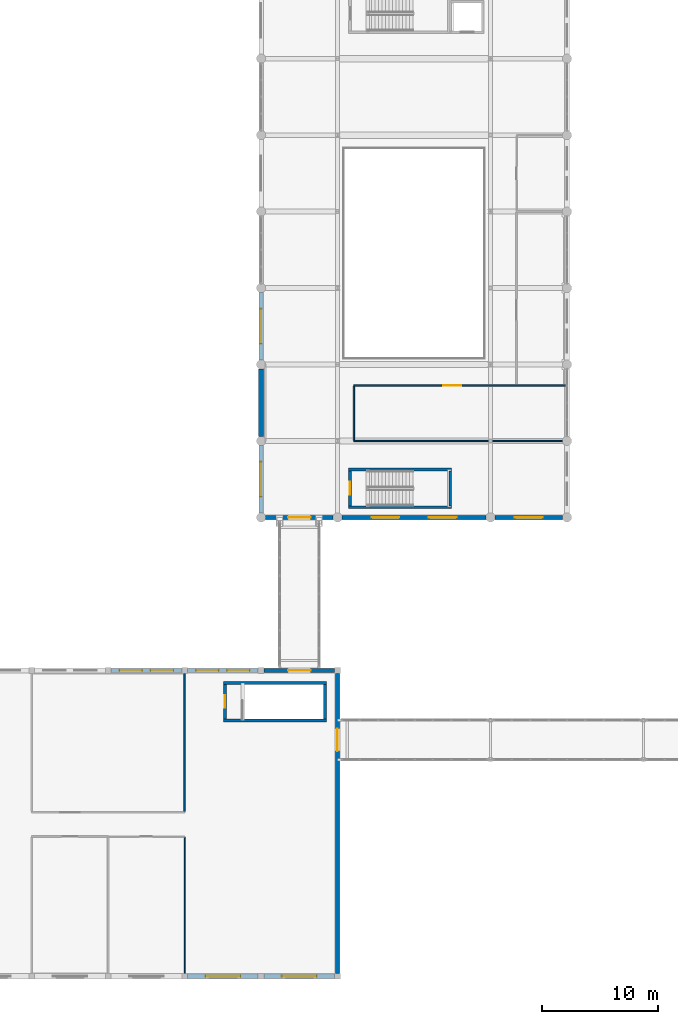
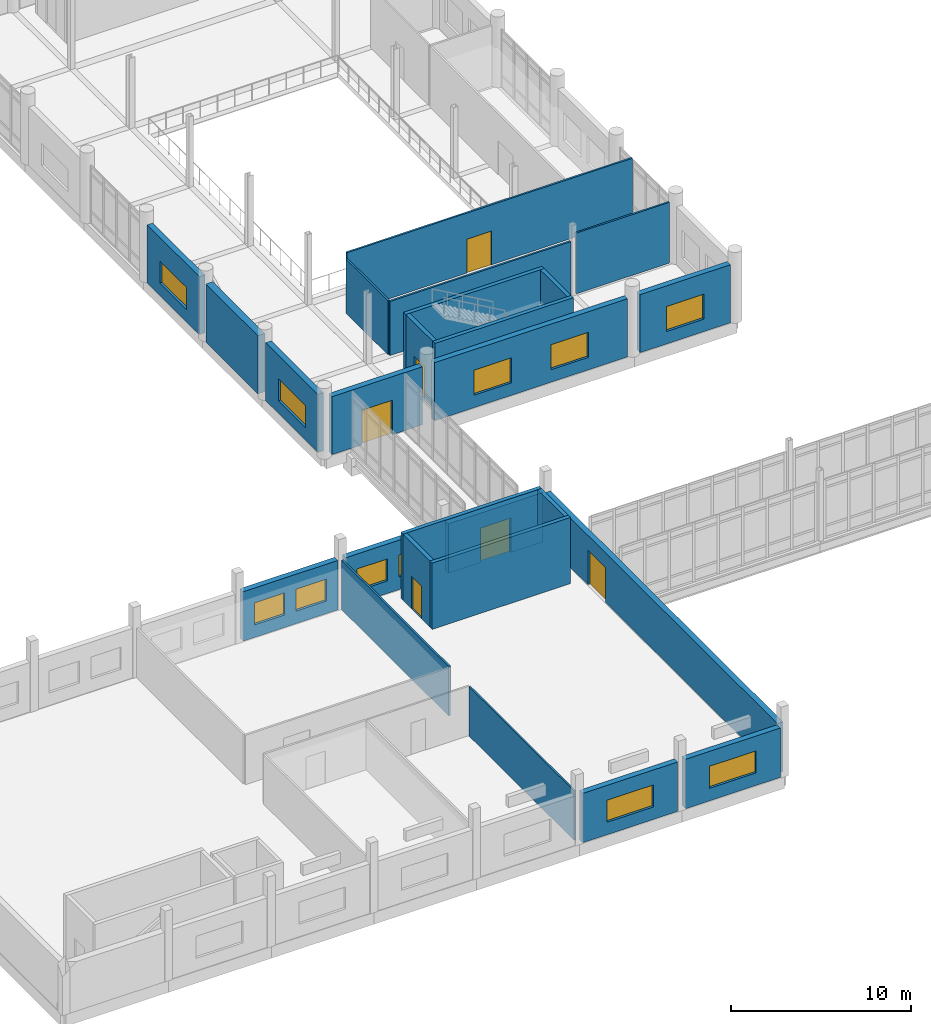
# One storey, part 66 of 101: 26 walls, 11 windows, 6 doors, 17 openings.
"""IFC4 building model written with IfcOpenShell, lengths in metres."""

from ifc_helpers import new_model, si_unit, direction, frame, frame_2d, origin, place, context, subcontext, project, spatial, rectangle, extrude, material, layer, layer_set, type_object, element, fill, save


model = new_model("IFC4")

# Units and contexts
model_context = context("Model", 3, precision=1e-05, world=origin(), true_north=direction((0.0, 1.0)))
body_context = subcontext(model_context, "Body", "Model", "MODEL_VIEW")
ifc_project = project(units=[si_unit("LENGTHUNIT", "METRE"), si_unit("AREAUNIT", "SQUARE_METRE"), si_unit("VOLUMEUNIT", "CUBIC_METRE"), si_unit("PLANEANGLEUNIT", "RADIAN"), si_unit("MASSUNIT", "GRAM", prefix="KILO")], contexts=[model_context])

# Site, building, storey
site_placement = place(None, origin())
site = spatial("IfcSite", under=ifc_project, at=site_placement, CompositionType="ELEMENT")
building_placement = place(site_placement, origin())
building = spatial("IfcBuilding", under=site, at=building_placement, Name="Dornvale Research Institute", CompositionType="ELEMENT")
storey_placement = place(building_placement, frame((0.0, 0.0, 10.199951171875)))
storey = spatial("IfcBuildingStorey", under=building, at=storey_placement, Name="L02", CompositionType="ELEMENT", Elevation=10.199951171875)

# Walls
ifc_material_1 = material(Name="Acoustic Insulated Double-Stud Laboratory Partition")
ifc_layer_1 = layer(ifc_material_1, 0.1201171875)
ifc_layer_set_1 = layer_set([ifc_layer_1], Name="Acoustic Insulated Double-Stud Laboratory Partition")
wall_type_1 = type_object("IfcWallType", Name="Partition_Dry_120", PredefinedType="PARTITIONING", material=ifc_layer_set_1)
wall_1_placement = place(storey_placement, frame((47.60009765625, 46.199951171875, 0.0), z_axis=(0.0, 0.0, 1.0), x_axis=(1.0, 0.0, 0.0)))
element("IfcWall", 1, at=wall_1_placement, inside=storey, type_object=wall_type_1, Name="L02 V2 interior partition #309", PredefinedType="PARTITIONING", context=body_context, shape_type="SweptSolid", body=[
    extrude(rectangle(XDim=11.62744140625, YDim=0.1201171875, at=frame_2d((5.813720703125, 0.0))), origin(), (0.0, 0.0, 1.0), 3.679931640625),
])
wall_2_placement = place(storey_placement, frame((59.572509765625, 46.199951171875, 0.0), z_axis=(0.0, 0.0, 1.0), x_axis=(1.0, 0.0, 0.0)))
element("IfcWall", 2, at=wall_2_placement, inside=storey, type_object=wall_type_1, Name="L02 V2 interior partition #310", PredefinedType="PARTITIONING", context=body_context, shape_type="SweptSolid", body=[
    extrude(rectangle(XDim=6.007568359375, YDim=0.1201171875, at=frame_2d((3.00390625, 0.0))), origin(), (0.0, 0.0, 1.0), 4.130126953125),
])

# Wall, opening, door
wall_3_placement = place(storey_placement, frame((47.60009765625, 51.0, 0.0), z_axis=(0.0, 0.0, 1.0), x_axis=(1.0, 0.0, 0.0)))
wall_3 = element("IfcWall", 3, at=wall_3_placement, inside=storey, type_object=wall_type_1, Name="L02 V2 interior partition #311", PredefinedType="PARTITIONING", context=body_context, shape_type="SweptSolid", body=[
    extrude(rectangle(XDim=18.35986328125, YDim=0.1201171875, at=frame_2d((9.179931640625, 0.0))), origin(), (0.0, 0.0, 1.0), 4.080078125),
])
opening_1_placement = place(wall_3_placement, frame((7.7099609375, 0.0, 0.0)))
opening_1 = element("IfcOpeningElement", 4, at=opening_1_placement, cuts=wall_3, Name="Opening ID-18", PredefinedType="OPENING", context=body_context, shape_type="SweptSolid", body=[
    extrude(rectangle(XDim=1.580078125, YDim=2.300048828125, at=frame_2d((0.7900390625, 1.14990234375))), frame((0.0, 0.074951171875, 0.0), z_axis=(0.0, -1.0, 0.0), x_axis=(1.0, 0.0, 0.0)), (0.0, 0.0, 1.0), 0.150146484375),
])
ifc_material_2 = material(Name="Phenolic-Faced Solid-Core Laboratory Door Assembly")
door_type_1 = type_object("IfcDoorType", Name="Door_Collab_1580x2300", OperationType="SINGLE_SWING_LEFT", PredefinedType="DOOR", material=ifc_material_2)
door_1_placement = place(opening_1_placement, origin())
door_1 = element("IfcDoor", 5, at=door_1_placement, inside=storey, type_object=door_type_1, Name="L02 Interdisciplinary Collaboratory L02-South door #124", OperationType="SINGLE_SWING_LEFT", OverallHeight=2.300048828125, OverallWidth=1.580078125, PredefinedType="DOOR", context=body_context, shape_type="SweptSolid", body=[
    extrude(rectangle(XDim=1.580078125, YDim=2.300048828125, at=frame_2d((0.7900390625, 1.14990234375))), frame((0.0, 0.02490234375, 0.0), z_axis=(0.0, -1.0, 0.0), x_axis=(1.0, 0.0, 0.0)), (0.0, 0.0, 1.0), 0.050048828125),
])
fill(opening_1, door_1)

# Walls
wall_4_placement = place(storey_placement, frame((47.60009765625, 46.27490234375, 0.0), z_axis=(0.0, 0.0, 1.0), x_axis=(0.0, 1.0, 0.0)))
element("IfcWall", 6, at=wall_4_placement, inside=storey, type_object=wall_type_1, Name="L02 V2 interior partition #312", PredefinedType="PARTITIONING", context=body_context, shape_type="SweptSolid", body=[
    extrude(rectangle(XDim=4.650146484375, YDim=0.1201171875, at=frame_2d((2.3251953125, 0.0))), origin(), (0.0, 0.0, 1.0), 3.679931640625),
])
wall_5_placement = place(storey_placement, frame((33.0, 14.22509765625, 0.0), z_axis=(0.0, 0.0, 1.0), x_axis=(0.0, 1.0, 0.0)))
element("IfcWall", 7, at=wall_5_placement, inside=storey, type_object=wall_type_1, Name="L02 V1 interior partition #319", PredefinedType="PARTITIONING", context=body_context, shape_type="SweptSolid", body=[
    extrude(rectangle(XDim=11.90478515625, YDim=0.1201171875, at=frame_2d((5.952392578125, 0.0))), origin(), (0.0, 0.0, 1.0), 3.360107421875),
])
ifc_material_3 = material(Name="Acoustic Insulated Double-Stud Laboratory Partition")
ifc_layer_2 = layer(ifc_material_3, 0.10009765625)
ifc_layer_set_2 = layer_set([ifc_layer_2], Name="Acoustic Insulated Double-Stud Laboratory Partition")
wall_type_2 = type_object("IfcWallType", Name="Partition_Office_100", PredefinedType="PARTITIONING", material=ifc_layer_set_2)
wall_6_placement = place(storey_placement, frame((33.0, 0.27001953125, 0.0), z_axis=(0.0, 0.0, 1.0), x_axis=(0.0, 1.0, 0.0)))
element("IfcWall", 8, at=wall_6_placement, inside=storey, type_object=wall_type_2, Name="L02 V1 interior partition #324", PredefinedType="PARTITIONING", context=body_context, shape_type="SweptSolid", body=[
    extrude(rectangle(XDim=11.715087890625, YDim=0.10009765625, at=frame_2d((5.857421875, 0.0))), origin(), (0.0, 0.0, 1.0), 3.360107421875),
])
ifc_material_4 = material(Name="Concrete f'c 45 MPa (C35/45)", Category="concrete")
ifc_layer_3 = layer(ifc_material_4, 0.25)
ifc_layer_set_3 = layer_set([ifc_layer_3], Name="Concrete f'c 45 MPa (C35/45)")
wall_type_3 = type_object("IfcWallType", Name="ShearWall_Core_250", PredefinedType="SHEAR", material=ifc_layer_set_3)
for number, where, z_axis, x_axis, name in (
    (9, (47.14990234375, 40.47509765625, 0.0), (0.0, 0.0, 1.0), (1.0, 0.0, 0.0), "L02 ST-7 shaft shear wall south"),
    (10, (47.14990234375, 43.72509765625, 0.0), (0.0, 0.0, 1.0), (1.0, 0.0, 0.0), "L02 ST-7 shaft shear wall north"),
):
    element("IfcWall", number, at=place(storey_placement, frame(where, z_axis=z_axis, x_axis=x_axis)), inside=storey, type_object=wall_type_3, Name=name, PredefinedType="SHEAR", context=body_context, shape_type="SweptSolid", body=[
        extrude(rectangle(XDim=8.900146484375, YDim=0.25, at=frame_2d((4.4501953125, 0.0))), origin(), (0.0, 0.0, 1.0), 4.5),
    ])

# Wall, opening, door
wall_7_placement = place(storey_placement, frame((47.27490234375, 40.60009765625, 0.0), z_axis=(0.0, 0.0, 1.0), x_axis=(0.0, 1.0, 0.0)))
wall_7 = element("IfcWall", 11, at=wall_7_placement, inside=storey, type_object=wall_type_3, Name="L02 ST-7 shaft shear wall west", PredefinedType="SHEAR", context=body_context, shape_type="SweptSolid", body=[
    extrude(rectangle(XDim=3.0, YDim=0.25, at=frame_2d((1.5, 0.0))), origin(), (0.0, 0.0, 1.0), 4.5),
])
opening_2_placement = place(wall_7_placement, frame((0.93994140625, 0.0, 0.0)))
opening_2 = element("IfcOpeningElement", 12, at=opening_2_placement, cuts=wall_7, Name="Opening SD-01", PredefinedType="OPENING", context=body_context, shape_type="SweptSolid", body=[
    extrude(rectangle(XDim=1.1201171875, YDim=2.199951171875, at=frame_2d((0.56005859375, 1.10009765625))), frame((0.0, 0.139892578125, 0.0), z_axis=(0.0, -1.0, 0.0), x_axis=(1.0, 0.0, 0.0)), (0.0, 0.0, 1.0), 0.280029296875),
])
ifc_material_5 = material(Name="Insulated Fire-Rated Hollow Metal Door Assembly")
door_type_2 = type_object("IfcDoorType", Name="Door_Stair_1120x2200", OperationType="SINGLE_SWING_LEFT", PredefinedType="DOOR", material=ifc_material_5)
door_2_placement = place(opening_2_placement, origin())
door_2 = element("IfcDoor", 13, at=door_2_placement, inside=storey, type_object=door_type_2, Name="L02 ST-7 exit stair door #53", OperationType="SINGLE_SWING_RIGHT", OverallHeight=2.199951171875, OverallWidth=1.1201171875, PredefinedType="DOOR", context=body_context, shape_type="SweptSolid", body=[
    extrude(rectangle(XDim=1.1201171875, YDim=2.199951171875, at=frame_2d((0.56005859375, 1.10009765625))), frame((0.0, 0.02490234375, 0.0), z_axis=(0.0, -1.0, 0.0), x_axis=(1.0, 0.0, 0.0)), (0.0, 0.0, 1.0), 0.050048828125),
])
fill(opening_2, door_2)

# Walls
wall_8_placement = place(storey_placement, frame((55.925048828125, 40.60009765625, 0.0), z_axis=(0.0, 0.0, 1.0), x_axis=(0.0, 1.0, 0.0)))
element("IfcWall", 14, at=wall_8_placement, inside=storey, type_object=wall_type_3, Name="L02 ST-7 shaft shear wall east", PredefinedType="SHEAR", context=body_context, shape_type="SweptSolid", body=[
    extrude(rectangle(XDim=3.0, YDim=0.25, at=frame_2d((1.5, 0.0))), origin(), (0.0, 0.0, 1.0), 4.5),
])
for number, where, z_axis, x_axis, name in (
    (15, (36.35009765625, 22.074951171875, 0.0), (0.0, 0.0, 1.0), (1.0, 0.0, 0.0), "L02 ST-10 shaft shear wall south"),
    (16, (36.35009765625, 25.324951171875, 0.0), (0.0, 0.0, 1.0), (1.0, 0.0, 0.0), "L02 ST-10 shaft shear wall north"),
):
    element("IfcWall", number, at=place(storey_placement, frame(where, z_axis=z_axis, x_axis=x_axis)), inside=storey, type_object=wall_type_3, Name=name, PredefinedType="SHEAR", context=body_context, shape_type="SweptSolid", body=[
        extrude(rectangle(XDim=8.89990234375, YDim=0.25, at=frame_2d((4.449951171875, 0.0))), origin(), (0.0, 0.0, 1.0), 4.5),
    ])

# Wall, opening, door
wall_9_placement = place(storey_placement, frame((36.47509765625, 22.199951171875, 0.0), z_axis=(0.0, 0.0, 1.0), x_axis=(0.0, 1.0, 0.0)))
wall_9 = element("IfcWall", 17, at=wall_9_placement, inside=storey, type_object=wall_type_3, Name="L02 ST-10 shaft shear wall west", PredefinedType="SHEAR", context=body_context, shape_type="SweptSolid", body=[
    extrude(rectangle(XDim=3.0, YDim=0.25, at=frame_2d((1.5, 0.0))), origin(), (0.0, 0.0, 1.0), 4.5),
])
opening_3_placement = place(wall_9_placement, frame((0.9599609375, 0.0, 0.0)))
opening_3 = element("IfcOpeningElement", 18, at=opening_3_placement, cuts=wall_9, Name="Opening SD-02", PredefinedType="OPENING", context=body_context, shape_type="SweptSolid", body=[
    extrude(rectangle(XDim=1.080078125, YDim=2.199951171875, at=frame_2d((0.5400390625, 1.10009765625))), frame((0.0, 0.139892578125, 0.0), z_axis=(0.0, -1.0, 0.0), x_axis=(1.0, 0.0, 0.0)), (0.0, 0.0, 1.0), 0.280029296875),
])
ifc_material_6 = material(Name="Insulated Fire-Rated Hollow Metal Door Assembly")
door_type_3 = type_object("IfcDoorType", Name="Door_Stair_1080x2200", OperationType="SINGLE_SWING_LEFT", PredefinedType="DOOR", material=ifc_material_6)
door_3_placement = place(opening_3_placement, origin())
door_3 = element("IfcDoor", 19, at=door_3_placement, inside=storey, type_object=door_type_3, Name="L02 ST-10 exit stair door #64", OperationType="SINGLE_SWING_LEFT", OverallHeight=2.199951171875, OverallWidth=1.080078125, PredefinedType="DOOR", context=body_context, shape_type="SweptSolid", body=[
    extrude(rectangle(XDim=1.080078125, YDim=2.199951171875, at=frame_2d((0.5400390625, 1.10009765625))), frame((0.0, 0.02490234375, 0.0), z_axis=(0.0, -1.0, 0.0), x_axis=(1.0, 0.0, 0.0)), (0.0, 0.0, 1.0), 0.050048828125),
])
fill(opening_3, door_3)

# Walls
wall_10_placement = place(storey_placement, frame((45.125, 22.199951171875, 0.0), z_axis=(0.0, 0.0, 1.0), x_axis=(0.0, 1.0, 0.0)))
element("IfcWall", 20, at=wall_10_placement, inside=storey, type_object=wall_type_3, Name="L02 ST-10 shaft shear wall east", PredefinedType="SHEAR", context=body_context, shape_type="SweptSolid", body=[
    extrude(rectangle(XDim=3.0, YDim=0.25, at=frame_2d((1.5, 0.0))), origin(), (0.0, 0.0, 1.0), 4.5),
])
ifc_material_7 = material(Name="Precast Concrete f'c 40 MPa (C32/40) and Glazed Terracotta Backup Wall", Category="masonry")
ifc_layer_4 = layer(ifc_material_7, 0.449951171875)
ifc_layer_set_4 = layer_set([ifc_layer_4], Name="Precast Concrete f'c 40 MPa (C32/40) and Glazed Terracotta Backup Wall")
wall_type_4 = type_object("IfcWallType", Name="SolidWall_ShearBraceBay_450", PredefinedType="SOLIDWALL", material=ifc_layer_set_4)
wall_11_placement = place(storey_placement, frame((39.60009765625, 46.594970703125, 0.0), z_axis=(0.0, 0.0, 1.0), x_axis=(0.0, 1.0, 0.0)))
element("IfcWall", 21, at=wall_11_placement, inside=storey, type_object=wall_type_4, Name="L02 V2 west exterior wall #81", PredefinedType="SOLIDWALL", context=body_context, shape_type="SweptSolid", body=[
    extrude(rectangle(XDim=5.81005859375, YDim=0.449951171875, at=frame_2d((2.905029296875, 0.0))), origin(), (0.0, 0.0, 1.0), 3.949951171875),
])

# Wall, openings, windows
ifc_material_8 = material(Name="Catalan Pressed Brick and Insulated Cavity Assembly", Category="masonry")
ifc_layer_5 = layer(ifc_material_8, 0.360107421875)
ifc_layer_set_5 = layer_set([ifc_layer_5], Name="Catalan Pressed Brick and Insulated Cavity Assembly")
wall_type_5 = type_object("IfcWallType", Name="StandardWall_BrickCavity_360", PredefinedType="STANDARD", material=ifc_layer_set_5)
wall_12_placement = place(storey_placement, frame((26.64990234375, 26.39990234375, 0.0), z_axis=(0.0, 0.0, 1.0), x_axis=(1.0, 0.0, 0.0)))
wall_12 = element("IfcWall", 22, at=wall_12_placement, inside=storey, type_object=wall_type_5, Name="L02 V1 north exterior wall #38", PredefinedType="STANDARD", context=body_context, shape_type="SweptSolid", body=[
    extrude(rectangle(XDim=6.10009765625, YDim=0.360107421875, at=frame_2d((3.050048828125, 0.0))), origin(), (0.0, 0.0, 1.0), 3.360107421875),
])
opening_4_placement = place(wall_12_placement, frame((0.7333984375, 0.0, 0.85009765625)))
opening_4 = element("IfcOpeningElement", 23, at=opening_4_placement, cuts=wall_12, Name="Opening W-06", PredefinedType="OPENING", context=body_context, shape_type="SweptSolid", body=[
    extrude(rectangle(XDim=1.949951171875, YDim=1.5, at=frame_2d((0.97509765625, 0.75))), frame((0.0, 0.195068359375, 0.0), z_axis=(0.0, -1.0, 0.0), x_axis=(1.0, 0.0, 0.0)), (0.0, 0.0, 1.0), 0.39013671875),
])
opening_5_placement = place(wall_12_placement, frame((3.41650390625, 0.0, 0.85009765625)))
opening_5 = element("IfcOpeningElement", 24, at=opening_5_placement, cuts=wall_12, Name="Opening W-06", PredefinedType="OPENING", context=body_context, shape_type="SweptSolid", body=[
    extrude(rectangle(XDim=1.949951171875, YDim=1.5, at=frame_2d((0.97509765625, 0.75))), frame((0.0, 0.195068359375, 0.0), z_axis=(0.0, -1.0, 0.0), x_axis=(1.0, 0.0, 0.0)), (0.0, 0.0, 1.0), 0.39013671875),
])
ifc_material_9 = material(Name="Low-E Argon Double Insulating Glazing Unit", Category="glass")
window_type_1 = type_object("IfcWindowType", Name="Window_Alu_1950x1500_06", PartitioningType="DOUBLE_PANEL_VERTICAL", PredefinedType="WINDOW", material=ifc_material_9)
window_1_placement = place(opening_4_placement, origin())
window_1 = element("IfcWindow", 25, at=window_1_placement, inside=storey, type_object=window_type_1, Name="L02 V1 facade window W-06 #53", OverallHeight=1.5, OverallWidth=1.949951171875, PartitioningType="DOUBLE_PANEL_VERTICAL", PredefinedType="WINDOW", context=body_context, shape_type="SweptSolid", body=[
    extrude(rectangle(XDim=1.949951171875, YDim=1.5, at=frame_2d((0.97509765625, 0.75))), frame((0.0, 0.030029296875, 0.0), z_axis=(0.0, -1.0, 0.0), x_axis=(1.0, 0.0, 0.0)), (0.0, 0.0, 1.0), 0.06005859375),
])
fill(opening_4, window_1)
window_2_placement = place(opening_5_placement, origin())
window_2 = element("IfcWindow", 26, at=window_2_placement, inside=storey, type_object=window_type_1, Name="L02 V1 facade window W-06 #54", OverallHeight=1.5, OverallWidth=1.949951171875, PartitioningType="DOUBLE_PANEL_VERTICAL", PredefinedType="WINDOW", context=body_context, shape_type="SweptSolid", body=[
    extrude(rectangle(XDim=1.949951171875, YDim=1.5, at=frame_2d((0.97509765625, 0.75))), frame((0.0, 0.030029296875, 0.0), z_axis=(0.0, -1.0, 0.0), x_axis=(1.0, 0.0, 0.0)), (0.0, 0.0, 1.0), 0.06005859375),
])
fill(opening_5, window_2)

wall_13_placement = place(storey_placement, frame((33.25, 26.39990234375, 0.0), z_axis=(0.0, 0.0, 1.0), x_axis=(1.0, 0.0, 0.0)))
wall_13 = element("IfcWall", 27, at=wall_13_placement, inside=storey, type_object=wall_type_5, Name="L02 V1 north exterior wall #39", PredefinedType="STANDARD", context=body_context, shape_type="SweptSolid", body=[
    extrude(rectangle(XDim=6.10009765625, YDim=0.360107421875, at=frame_2d((3.050048828125, 0.0))), origin(), (0.0, 0.0, 1.0), 3.360107421875),
])
opening_6_placement = place(wall_13_placement, frame((0.7333984375, 0.0, 0.85009765625)))
opening_6 = element("IfcOpeningElement", 28, at=opening_6_placement, cuts=wall_13, Name="Opening W-06", PredefinedType="OPENING", context=body_context, shape_type="SweptSolid", body=[
    extrude(rectangle(XDim=1.949951171875, YDim=1.5, at=frame_2d((0.97509765625, 0.75))), frame((0.0, 0.195068359375, 0.0), z_axis=(0.0, -1.0, 0.0), x_axis=(1.0, 0.0, 0.0)), (0.0, 0.0, 1.0), 0.39013671875),
])
opening_7_placement = place(wall_13_placement, frame((3.41650390625, 0.0, 0.85009765625)))
opening_7 = element("IfcOpeningElement", 29, at=opening_7_placement, cuts=wall_13, Name="Opening W-06", PredefinedType="OPENING", context=body_context, shape_type="SweptSolid", body=[
    extrude(rectangle(XDim=1.949951171875, YDim=1.5, at=frame_2d((0.97509765625, 0.75))), frame((0.0, 0.195068359375, 0.0), z_axis=(0.0, -1.0, 0.0), x_axis=(1.0, 0.0, 0.0)), (0.0, 0.0, 1.0), 0.39013671875),
])
window_3_placement = place(opening_6_placement, origin())
window_3 = element("IfcWindow", 30, at=window_3_placement, inside=storey, type_object=window_type_1, Name="L02 V1 facade window W-06 #55", OverallHeight=1.5, OverallWidth=1.949951171875, PartitioningType="DOUBLE_PANEL_VERTICAL", PredefinedType="WINDOW", context=body_context, shape_type="SweptSolid", body=[
    extrude(rectangle(XDim=1.949951171875, YDim=1.5, at=frame_2d((0.97509765625, 0.75))), frame((0.0, 0.030029296875, 0.0), z_axis=(0.0, -1.0, 0.0), x_axis=(1.0, 0.0, 0.0)), (0.0, 0.0, 1.0), 0.06005859375),
])
fill(opening_6, window_3)
window_4_placement = place(opening_7_placement, origin())
window_4 = element("IfcWindow", 31, at=window_4_placement, inside=storey, type_object=window_type_1, Name="L02 V1 facade window W-06 #56", OverallHeight=1.5, OverallWidth=1.949951171875, PartitioningType="DOUBLE_PANEL_VERTICAL", PredefinedType="WINDOW", context=body_context, shape_type="SweptSolid", body=[
    extrude(rectangle(XDim=1.949951171875, YDim=1.5, at=frame_2d((0.97509765625, 0.75))), frame((0.0, 0.030029296875, 0.0), z_axis=(0.0, -1.0, 0.0), x_axis=(1.0, 0.0, 0.0)), (0.0, 0.0, 1.0), 0.06005859375),
])
fill(opening_7, window_4)

# Wall, opening, door
wall_14_placement = place(storey_placement, frame((39.85009765625, 26.39990234375, 0.0), z_axis=(0.0, 0.0, 1.0), x_axis=(1.0, 0.0, 0.0)))
wall_14 = element("IfcWall", 32, at=wall_14_placement, inside=storey, type_object=wall_type_5, Name="L02 V1 north exterior wall #40", PredefinedType="STANDARD", context=body_context, shape_type="SweptSolid", body=[
    extrude(rectangle(XDim=6.099853515625, YDim=0.360107421875, at=frame_2d((3.0498046875, 0.0))), origin(), (0.0, 0.0, 1.0), 3.360107421875),
])
opening_8_placement = place(wall_14_placement, frame((2.074951171875, 0.0, 0.0)))
opening_8 = element("IfcOpeningElement", 33, at=opening_8_placement, cuts=wall_14, Name="Opening BD-01", PredefinedType="OPENING", context=body_context, shape_type="SweptSolid", body=[
    extrude(rectangle(XDim=1.949951171875, YDim=2.35009765625, at=frame_2d((0.97509765625, 1.175048828125))), frame((0.0, 0.195068359375, 0.0), z_axis=(0.0, -1.0, 0.0), x_axis=(1.0, 0.0, 0.0)), (0.0, 0.0, 1.0), 0.39013671875),
])
ifc_material_10 = material(Name="Galvanized Hollow Metal Insulated Door Assembly")
door_type_4 = type_object("IfcDoorType", Name="Door_BridgeJoint_1950x2350", OperationType="SINGLE_SWING_LEFT", PredefinedType="DOOR", material=ifc_material_10)
door_4_placement = place(opening_8_placement, origin())
door_4 = element("IfcDoor", 34, at=door_4_placement, inside=storey, type_object=door_type_4, Name="L02 V1 skybridge door BD-01 #4", OperationType="DOUBLE_DOOR_SINGLE_SWING", OverallHeight=2.35009765625, OverallWidth=1.949951171875, PredefinedType="DOOR", context=body_context, shape_type="SweptSolid", body=[
    extrude(rectangle(XDim=1.949951171875, YDim=2.35009765625, at=frame_2d((0.97509765625, 1.175048828125))), frame((0.0, 0.02490234375, 0.0), z_axis=(0.0, -1.0, 0.0), x_axis=(1.0, 0.0, 0.0)), (0.0, 0.0, 1.0), 0.050048828125),
])
fill(opening_8, door_4)

wall_15_placement = place(storey_placement, frame((46.199951171875, 26.14990234375, 0.0), z_axis=(0.0, 0.0, 1.0), x_axis=(0.0, -1.0, 0.0)))
wall_15 = element("IfcWall", 35, at=wall_15_placement, inside=storey, type_object=wall_type_5, Name="L02 V1 east exterior wall #41", PredefinedType="STANDARD", context=body_context, shape_type="SweptSolid", body=[
    extrude(rectangle(XDim=25.89990234375, YDim=0.360107421875, at=frame_2d((12.949951171875, 0.0))), origin(), (0.0, 0.0, 1.0), 3.360107421875),
])
opening_9_placement = place(wall_15_placement, frame((4.77490234375, 0.0, 0.0)))
opening_9 = element("IfcOpeningElement", 36, at=opening_9_placement, cuts=wall_15, Name="Opening BD-01", PredefinedType="OPENING", context=body_context, shape_type="SweptSolid", body=[
    extrude(rectangle(XDim=1.949951171875, YDim=2.35009765625, at=frame_2d((0.97509765625, 1.175048828125))), frame((0.0, 0.195068359375, 0.0), z_axis=(0.0, -1.0, 0.0), x_axis=(1.0, 0.0, 0.0)), (0.0, 0.0, 1.0), 0.39013671875),
])
door_5_placement = place(opening_9_placement, origin())
door_5 = element("IfcDoor", 37, at=door_5_placement, inside=storey, type_object=door_type_4, Name="L02 V1 skybridge door BD-01 #5", OperationType="DOUBLE_DOOR_SINGLE_SWING", OverallHeight=2.35009765625, OverallWidth=1.949951171875, PredefinedType="DOOR", context=body_context, shape_type="SweptSolid", body=[
    extrude(rectangle(XDim=1.949951171875, YDim=2.35009765625, at=frame_2d((0.97509765625, 1.175048828125))), frame((0.0, 0.02490234375, 0.0), z_axis=(0.0, -1.0, 0.0), x_axis=(1.0, 0.0, 0.0)), (0.0, 0.0, 1.0), 0.050048828125),
])
fill(opening_9, door_5)

# Wall, opening, window
wall_16_placement = place(storey_placement, frame((45.949951171875, 0.0, 0.0), z_axis=(0.0, 0.0, 1.0), x_axis=(-1.0, 0.0, 0.0)))
wall_16 = element("IfcWall", 38, at=wall_16_placement, inside=storey, type_object=wall_type_5, Name="L02 V1 south exterior wall #42", PredefinedType="STANDARD", context=body_context, shape_type="SweptSolid", body=[
    extrude(rectangle(XDim=6.099853515625, YDim=0.360107421875, at=frame_2d((3.0498046875, 0.0))), origin(), (0.0, 0.0, 1.0), 3.360107421875),
])
opening_10_placement = place(wall_16_placement, frame((1.550048828125, 0.0, 0.85009765625)))
opening_10 = element("IfcOpeningElement", 39, at=opening_10_placement, cuts=wall_16, Name="Opening W-12", PredefinedType="OPENING", context=body_context, shape_type="SweptSolid", body=[
    extrude(rectangle(XDim=3.0, YDim=1.5, at=frame_2d((1.5, 0.75))), frame((0.0, 0.195068359375, 0.0), z_axis=(0.0, -1.0, 0.0), x_axis=(1.0, 0.0, 0.0)), (0.0, 0.0, 1.0), 0.39013671875),
])
ifc_material_11 = material(Name="Low-E Argon Double Insulating Glazing Unit", Category="glass")
window_type_2 = type_object("IfcWindowType", Name="Window_Alu_3000x1500_12", PartitioningType="DOUBLE_PANEL_VERTICAL", PredefinedType="WINDOW", material=ifc_material_11)
window_5_placement = place(opening_10_placement, origin())
window_5 = element("IfcWindow", 40, at=window_5_placement, inside=storey, type_object=window_type_2, Name="L02 V1 facade window W-12 #57", OverallHeight=1.5, OverallWidth=3.0, PartitioningType="DOUBLE_PANEL_VERTICAL", PredefinedType="WINDOW", context=body_context, shape_type="SweptSolid", body=[
    extrude(rectangle(XDim=3.0, YDim=1.5, at=frame_2d((1.5, 0.75))), frame((0.0, 0.030029296875, 0.0), z_axis=(0.0, -1.0, 0.0), x_axis=(1.0, 0.0, 0.0)), (0.0, 0.0, 1.0), 0.06005859375),
])
fill(opening_10, window_5)

wall_17_placement = place(storey_placement, frame((39.35009765625, 0.0, 0.0), z_axis=(0.0, 0.0, 1.0), x_axis=(-1.0, 0.0, 0.0)))
wall_17 = element("IfcWall", 41, at=wall_17_placement, inside=storey, type_object=wall_type_5, Name="L02 V1 south exterior wall #43", PredefinedType="STANDARD", context=body_context, shape_type="SweptSolid", body=[
    extrude(rectangle(XDim=6.10009765625, YDim=0.360107421875, at=frame_2d((3.050048828125, 0.0))), origin(), (0.0, 0.0, 1.0), 3.360107421875),
])
opening_11_placement = place(wall_17_placement, frame((1.550048828125, 0.0, 0.85009765625)))
opening_11 = element("IfcOpeningElement", 42, at=opening_11_placement, cuts=wall_17, Name="Opening W-12", PredefinedType="OPENING", context=body_context, shape_type="SweptSolid", body=[
    extrude(rectangle(XDim=3.0, YDim=1.5, at=frame_2d((1.5, 0.75))), frame((0.0, 0.195068359375, 0.0), z_axis=(0.0, -1.0, 0.0), x_axis=(1.0, 0.0, 0.0)), (0.0, 0.0, 1.0), 0.39013671875),
])
window_6_placement = place(opening_11_placement, origin())
window_6 = element("IfcWindow", 43, at=window_6_placement, inside=storey, type_object=window_type_2, Name="L02 V1 facade window W-12 #58", OverallHeight=1.5, OverallWidth=3.0, PartitioningType="DOUBLE_PANEL_VERTICAL", PredefinedType="WINDOW", context=body_context, shape_type="SweptSolid", body=[
    extrude(rectangle(XDim=3.0, YDim=1.5, at=frame_2d((1.5, 0.75))), frame((0.0, 0.030029296875, 0.0), z_axis=(0.0, -1.0, 0.0), x_axis=(1.0, 0.0, 0.0)), (0.0, 0.0, 1.0), 0.06005859375),
])
fill(opening_11, window_6)

wall_18_placement = place(storey_placement, frame((39.60009765625, 39.9951171875, 0.0), z_axis=(0.0, 0.0, 1.0), x_axis=(0.0, 1.0, 0.0)))
wall_18 = element("IfcWall", 44, at=wall_18_placement, inside=storey, type_object=wall_type_5, Name="L02 V2 west exterior wall #80", PredefinedType="STANDARD", context=body_context, shape_type="SweptSolid", body=[
    extrude(rectangle(XDim=5.809814453125, YDim=0.360107421875, at=frame_2d((2.90478515625, 0.0))), origin(), (0.0, 0.0, 1.0), 3.949951171875),
])
opening_12_placement = place(wall_18_placement, frame((1.405029296875, 0.0, 0.85009765625)))
opening_12 = element("IfcOpeningElement", 45, at=opening_12_placement, cuts=wall_18, Name="Opening W-12", PredefinedType="OPENING", context=body_context, shape_type="SweptSolid", body=[
    extrude(rectangle(XDim=3.0, YDim=1.5, at=frame_2d((1.5, 0.75))), frame((0.0, 0.195068359375, 0.0), z_axis=(0.0, -1.0, 0.0), x_axis=(1.0, 0.0, 0.0)), (0.0, 0.0, 1.0), 0.39013671875),
])
window_7_placement = place(opening_12_placement, origin())
window_7 = element("IfcWindow", 46, at=window_7_placement, inside=storey, type_object=window_type_2, Name="L02 V2 facade window W-12 #99", OverallHeight=1.5, OverallWidth=3.0, PartitioningType="DOUBLE_PANEL_VERTICAL", PredefinedType="WINDOW", context=body_context, shape_type="SweptSolid", body=[
    extrude(rectangle(XDim=3.0, YDim=1.5, at=frame_2d((1.5, 0.75))), frame((0.0, 0.030029296875, 0.0), z_axis=(0.0, -1.0, 0.0), x_axis=(1.0, 0.0, 0.0)), (0.0, 0.0, 1.0), 0.06005859375),
])
fill(opening_12, window_7)

wall_19_placement = place(storey_placement, frame((39.60009765625, 53.195068359375, 0.0), z_axis=(0.0, 0.0, 1.0), x_axis=(0.0, 1.0, 0.0)))
wall_19 = element("IfcWall", 47, at=wall_19_placement, inside=storey, type_object=wall_type_5, Name="L02 V2 west exterior wall #82", PredefinedType="STANDARD", context=body_context, shape_type="SweptSolid", body=[
    extrude(rectangle(XDim=5.809814453125, YDim=0.360107421875, at=frame_2d((2.90478515625, 0.0))), origin(), (0.0, 0.0, 1.0), 3.949951171875),
])
opening_13_placement = place(wall_19_placement, frame((1.405029296875, 0.0, 0.85009765625)))
opening_13 = element("IfcOpeningElement", 48, at=opening_13_placement, cuts=wall_19, Name="Opening W-12", PredefinedType="OPENING", context=body_context, shape_type="SweptSolid", body=[
    extrude(rectangle(XDim=3.0, YDim=1.5, at=frame_2d((1.5, 0.75))), frame((0.0, 0.195068359375, 0.0), z_axis=(0.0, -1.0, 0.0), x_axis=(1.0, 0.0, 0.0)), (0.0, 0.0, 1.0), 0.39013671875),
])
window_8_placement = place(opening_13_placement, origin())
window_8 = element("IfcWindow", 49, at=window_8_placement, inside=storey, type_object=window_type_2, Name="L02 V2 facade window W-12 #100", OverallHeight=1.5, OverallWidth=3.0, PartitioningType="DOUBLE_PANEL_VERTICAL", PredefinedType="WINDOW", context=body_context, shape_type="SweptSolid", body=[
    extrude(rectangle(XDim=3.0, YDim=1.5, at=frame_2d((1.5, 0.75))), frame((0.0, 0.030029296875, 0.0), z_axis=(0.0, -1.0, 0.0), x_axis=(1.0, 0.0, 0.0)), (0.0, 0.0, 1.0), 0.06005859375),
])
fill(opening_13, window_8)

wall_20_placement = place(storey_placement, frame((65.60498046875, 39.60009765625, 0.0), z_axis=(0.0, 0.0, 1.0), x_axis=(-1.0, 0.0, 0.0)))
wall_20 = element("IfcWall", 50, at=wall_20_placement, inside=storey, type_object=wall_type_5, Name="L02 V2 south exterior wall #92", PredefinedType="STANDARD", context=body_context, shape_type="SweptSolid", body=[
    extrude(rectangle(XDim=5.81005859375, YDim=0.360107421875, at=frame_2d((2.905029296875, 0.0))), origin(), (0.0, 0.0, 1.0), 3.949951171875),
])
opening_14_placement = place(wall_20_placement, frame((1.705078125, 0.0, 0.85009765625)))
opening_14 = element("IfcOpeningElement", 51, at=opening_14_placement, cuts=wall_20, Name="Opening W-21", PredefinedType="OPENING", context=body_context, shape_type="SweptSolid", body=[
    extrude(rectangle(XDim=2.39990234375, YDim=1.699951171875, at=frame_2d((1.199951171875, 0.85009765625))), frame((0.0, 0.195068359375, 0.0), z_axis=(0.0, -1.0, 0.0), x_axis=(1.0, 0.0, 0.0)), (0.0, 0.0, 1.0), 0.39013671875),
])
ifc_material_12 = material(Name="Low-E Argon Double Insulating Glazing Unit", Category="glass")
window_type_3 = type_object("IfcWindowType", Name="Window_Alu_2400x1700_21", PartitioningType="DOUBLE_PANEL_VERTICAL", PredefinedType="WINDOW", material=ifc_material_12)
window_9_placement = place(opening_14_placement, origin())
window_9 = element("IfcWindow", 52, at=window_9_placement, inside=storey, type_object=window_type_3, Name="L02 V2 facade window W-21 #115", OverallHeight=1.699951171875, OverallWidth=2.39990234375, PartitioningType="DOUBLE_PANEL_VERTICAL", PredefinedType="WINDOW", context=body_context, shape_type="SweptSolid", body=[
    extrude(rectangle(XDim=2.39990234375, YDim=1.699951171875, at=frame_2d((1.199951171875, 0.85009765625))), frame((0.0, 0.030029296875, 0.0), z_axis=(0.0, -1.0, 0.0), x_axis=(1.0, 0.0, 0.0)), (0.0, 0.0, 1.0), 0.06005859375),
])
fill(opening_14, window_9)

# Wall, openings, windows
wall_21_placement = place(storey_placement, frame((59.0048828125, 39.60009765625, 0.0), z_axis=(0.0, 0.0, 1.0), x_axis=(-1.0, 0.0, 0.0)))
wall_21 = element("IfcWall", 53, at=wall_21_placement, inside=storey, type_object=wall_type_5, Name="L02 V2 south exterior wall #93", PredefinedType="STANDARD", context=body_context, shape_type="SweptSolid", body=[
    extrude(rectangle(XDim=12.409912109375, YDim=0.360107421875, at=frame_2d((6.205078125, 0.0))), origin(), (0.0, 0.0, 1.0), 3.949951171875),
])
opening_15_placement = place(wall_21_placement, frame((2.53662109375, 0.0, 0.85009765625)))
opening_15 = element("IfcOpeningElement", 54, at=opening_15_placement, cuts=wall_21, Name="Opening W-21", PredefinedType="OPENING", context=body_context, shape_type="SweptSolid", body=[
    extrude(rectangle(XDim=2.39990234375, YDim=1.699951171875, at=frame_2d((1.199951171875, 0.85009765625))), frame((0.0, 0.195068359375, 0.0), z_axis=(0.0, -1.0, 0.0), x_axis=(1.0, 0.0, 0.0)), (0.0, 0.0, 1.0), 0.39013671875),
])
opening_16_placement = place(wall_21_placement, frame((7.473388671875, 0.0, 0.85009765625)))
opening_16 = element("IfcOpeningElement", 55, at=opening_16_placement, cuts=wall_21, Name="Opening W-21", PredefinedType="OPENING", context=body_context, shape_type="SweptSolid", body=[
    extrude(rectangle(XDim=2.39990234375, YDim=1.699951171875, at=frame_2d((1.199951171875, 0.85009765625))), frame((0.0, 0.195068359375, 0.0), z_axis=(0.0, -1.0, 0.0), x_axis=(1.0, 0.0, 0.0)), (0.0, 0.0, 1.0), 0.39013671875),
])
window_10_placement = place(opening_15_placement, origin())
window_10 = element("IfcWindow", 56, at=window_10_placement, inside=storey, type_object=window_type_3, Name="L02 V2 facade window W-21 #116", OverallHeight=1.699951171875, OverallWidth=2.39990234375, PartitioningType="DOUBLE_PANEL_VERTICAL", PredefinedType="WINDOW", context=body_context, shape_type="SweptSolid", body=[
    extrude(rectangle(XDim=2.39990234375, YDim=1.699951171875, at=frame_2d((1.199951171875, 0.85009765625))), frame((0.0, 0.030029296875, 0.0), z_axis=(0.0, -1.0, 0.0), x_axis=(1.0, 0.0, 0.0)), (0.0, 0.0, 1.0), 0.06005859375),
])
fill(opening_15, window_10)
window_11_placement = place(opening_16_placement, origin())
window_11 = element("IfcWindow", 57, at=window_11_placement, inside=storey, type_object=window_type_3, Name="L02 V2 facade window W-21 #117", OverallHeight=1.699951171875, OverallWidth=2.39990234375, PartitioningType="DOUBLE_PANEL_VERTICAL", PredefinedType="WINDOW", context=body_context, shape_type="SweptSolid", body=[
    extrude(rectangle(XDim=2.39990234375, YDim=1.699951171875, at=frame_2d((1.199951171875, 0.85009765625))), frame((0.0, 0.030029296875, 0.0), z_axis=(0.0, -1.0, 0.0), x_axis=(1.0, 0.0, 0.0)), (0.0, 0.0, 1.0), 0.06005859375),
])
fill(opening_16, window_11)

# Wall, opening, door
wall_22_placement = place(storey_placement, frame((45.804931640625, 39.60009765625, 0.0), z_axis=(0.0, 0.0, 1.0), x_axis=(-1.0, 0.0, 0.0)))
wall_22 = element("IfcWall", 58, at=wall_22_placement, inside=storey, type_object=wall_type_5, Name="L02 V2 south exterior wall #94", PredefinedType="STANDARD", context=body_context, shape_type="SweptSolid", body=[
    extrude(rectangle(XDim=5.809814453125, YDim=0.360107421875, at=frame_2d((2.90478515625, 0.0))), origin(), (0.0, 0.0, 1.0), 3.949951171875),
])
opening_17_placement = place(wall_22_placement, frame((1.929931640625, 0.0, 0.0)))
opening_17 = element("IfcOpeningElement", 59, at=opening_17_placement, cuts=wall_22, Name="Opening BD-01", PredefinedType="OPENING", context=body_context, shape_type="SweptSolid", body=[
    extrude(rectangle(XDim=1.949951171875, YDim=2.35009765625, at=frame_2d((0.97509765625, 1.175048828125))), frame((0.0, 0.195068359375, 0.0), z_axis=(0.0, -1.0, 0.0), x_axis=(1.0, 0.0, 0.0)), (0.0, 0.0, 1.0), 0.39013671875),
])
door_6_placement = place(opening_17_placement, origin())
door_6 = element("IfcDoor", 60, at=door_6_placement, inside=storey, type_object=door_type_4, Name="L02 V2 skybridge door BD-01 #13", OperationType="DOUBLE_DOOR_SINGLE_SWING", OverallHeight=2.35009765625, OverallWidth=1.949951171875, PredefinedType="DOOR", context=body_context, shape_type="SweptSolid", body=[
    extrude(rectangle(XDim=1.949951171875, YDim=2.35009765625, at=frame_2d((0.97509765625, 1.175048828125))), frame((0.0, 0.02490234375, 0.0), z_axis=(0.0, -1.0, 0.0), x_axis=(1.0, 0.0, 0.0)), (0.0, 0.0, 1.0), 0.050048828125),
])
fill(opening_17, door_6)

save(model, "model.ifc")
